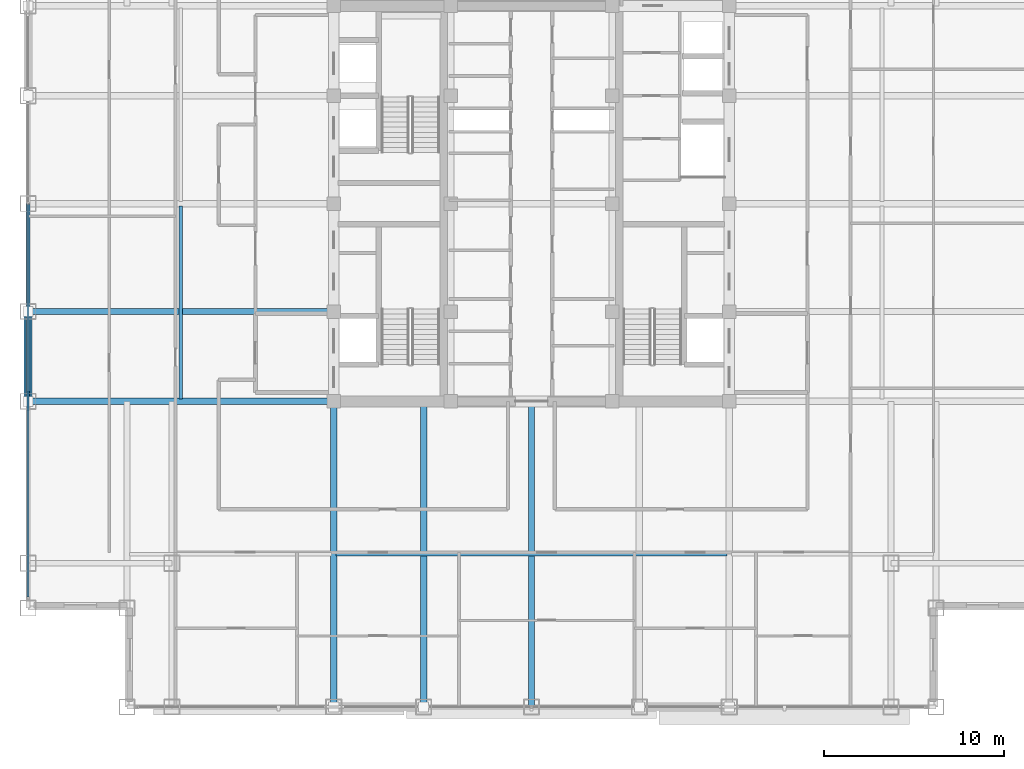
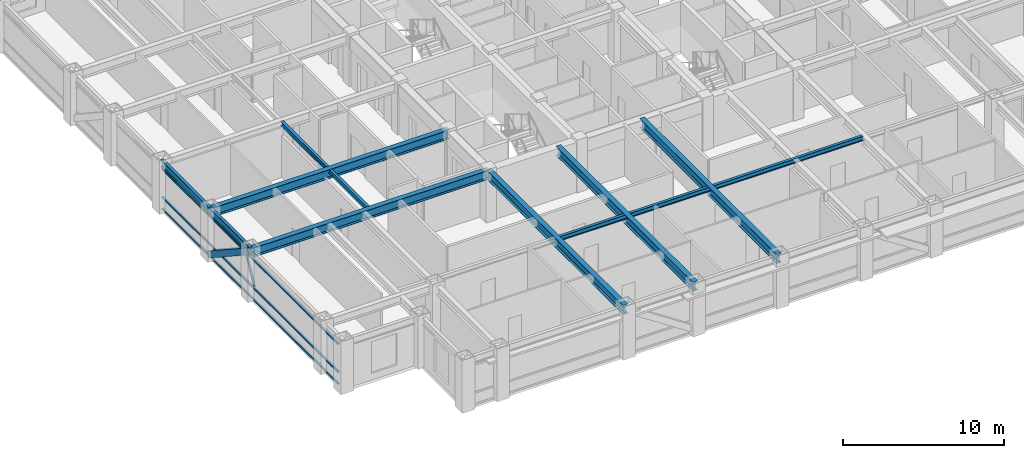
# One storey, part 5 of 27: 9 beams, 5 members, 1 element without a shape of its own.
"""IFC4 building model written with IfcOpenShell, lengths in metres."""

from ifc_helpers import new_model, si_unit, direction, frame, origin, origin_2d, place, context, subcontext, project, spatial, hollow_rectangle, i_section, extrude, source, transform, mapped, material, material_profile, profile_set, type_object, element, aggregate, save


model = new_model("IFC4")

# Units and contexts
model_context = context("Model", 3, precision=1e-05, world=origin(), true_north=direction((0.0, 1.0)))
body_context = subcontext(model_context, "Body", "Model", "MODEL_VIEW")
ifc_project = project(units=[si_unit("LENGTHUNIT", "METRE"), si_unit("AREAUNIT", "SQUARE_METRE"), si_unit("VOLUMEUNIT", "CUBIC_METRE"), si_unit("PLANEANGLEUNIT", "RADIAN"), si_unit("MASSUNIT", "GRAM", prefix="KILO")], contexts=[model_context])

# Site, building, storey
site_placement = place(None, origin())
site = spatial("IfcSite", under=ifc_project, at=site_placement, CompositionType="ELEMENT")
building_placement = place(site_placement, origin())
building = spatial("IfcBuilding", under=site, at=building_placement, Name="Khorayat Bourse Tower", CompositionType="ELEMENT")
storey_placement = place(building_placement, frame((0.0, 0.0, 281.5)))
storey = spatial("IfcBuildingStorey", under=building, at=storey_placement, Name="L66", CompositionType="ELEMENT", Elevation=281.5)

# Member
ifc_material_1 = material(Name="Steel EN 10025-4 S460M", Category="steel")
ifc_material_profile_1 = material_profile(ifc_material_1, hollow_rectangle(XDim=0.449951171875, YDim=0.449951171875, WallThickness=0.02490234375, at=origin_2d()), Name="HSS 450x450x25")
ifc_profile_set_1 = profile_set([ifc_material_profile_1], Name="Steel EN 10025-4 S460M")
member_type_1 = type_object("IfcMemberType", Name="MBR-TUBE-450", PredefinedType="BRACE", material=ifc_profile_set_1)
shared_shape_1 = source(origin(), body_context, "Body", "SweptSolid", [
    extrude(hollow_rectangle(XDim=0.449951171875, YDim=0.449951171875, WallThickness=0.02490234375, at=origin_2d()), origin(), (0.0, 0.0, 1.0), 5.979736328125),
])
member_1_placement = place(storey_placement, frame((-28.0, -11.0, 3.530029296875), z_axis=(0.0, 0.836141536525, -0.548513747227), x_axis=(-1.0, 0.0, 0.0)))
element("IfcMember", 1, at=member_1_placement, inside=storey, type_object=member_type_1, Name="L66 Perimeter Tube Brace 05", PredefinedType="BRACE", context=body_context, shape_type="MappedRepresentation", body=[
    mapped(shared_shape_1, transform((0.0, 0.0, 0.0), scale=1.0)),
])

# Beams
ifc_material_2 = material(Name="Steel ASTM A992 Grade 50", Category="steel")
ifc_material_profile_2 = material_profile(ifc_material_2, i_section(OverallWidth=0.35498046875, OverallDepth=0.695068359375, WebThickness=0.015380859375, FlangeThickness=0.02490234375, FilletRadius=0.01806640625, at=origin_2d()), Name="W690X217")
ifc_profile_set_2 = profile_set([ifc_material_profile_2], Name="Steel ASTM A992 Grade 50")
beam_type_1 = type_object("IfcBeamType", Name="BM-GIRD-690", PredefinedType="BEAM", material=ifc_profile_set_2)
shared_shape_2 = source(origin(), body_context, "Body", "SweptSolid", [
    extrude(i_section(OverallWidth=0.35498046875, OverallDepth=0.695068359375, WebThickness=0.015380859375, FlangeThickness=0.02490234375, FilletRadius=0.01806640625, at=origin_2d()), origin(), (0.0, 0.0, 1.0), 17.0),
])
for number, where, z_axis, x_axis, name in (
    (2, (-11.0, -28.0, 3.4326171875), (0.0, 1.0, 0.0), (-1.0, 0.0, 0.0), "L66 BM-GIRD-690 BM-L66-RADY-065"),
    (3, (-6.0, -28.0, 3.4326171875), (0.0, 1.0, 0.0), (-1.0, 0.0, 0.0), "L66 BM-GIRD-690 BM-L66-RADY-067"),
    (4, (0.0, -28.0, 3.4326171875), (0.0, 1.0, 0.0), (-1.0, 0.0, 0.0), "L66 BM-GIRD-690 BM-L66-RADY-069"),
    (5, (-28.0, -11.0, 3.4326171875), (1.0, 0.0, 0.0), (0.0, 1.0, 0.0), "L66 BM-GIRD-690 BM-L66-RADX-075"),
    (6, (-28.0, -6.0, 3.4326171875), (1.0, 0.0, 0.0), (0.0, 1.0, 0.0), "L66 BM-GIRD-690 BM-L66-RADX-077"),
):
    element("IfcBeam", number, at=place(storey_placement, frame(where, z_axis=z_axis, x_axis=x_axis)), inside=storey, type_object=beam_type_1, Name=name, PredefinedType="BEAM", context=body_context, shape_type="MappedRepresentation", body=[
        mapped(shared_shape_2, transform((0.0, 0.0, 0.0), scale=1.0)),
    ])
ifc_material_profile_3 = material_profile(ifc_material_2, i_section(OverallWidth=0.202880859375, OverallDepth=0.346923828125, WebThickness=0.0078125, FlangeThickness=0.013427734375, FilletRadius=0.010009765625, at=origin_2d()), Name="W360X64")
ifc_profile_set_3 = profile_set([ifc_material_profile_3], Name="Steel ASTM A992 Grade 50")
beam_type_2 = type_object("IfcBeamType", Name="BM-JOIST-360", PredefinedType="JOIST", material=ifc_profile_set_3)
shared_shape_3 = source(origin(), body_context, "Body", "SweptSolid", [
    extrude(i_section(OverallWidth=0.202880859375, OverallDepth=0.346923828125, WebThickness=0.0078125, FlangeThickness=0.013427734375, FilletRadius=0.010009765625, at=origin_2d()), origin(), (0.0, 0.0, 1.0), 21.740234375),
])
beam_1_placement = place(storey_placement, frame((-10.8701171875, -19.5, 3.6064453125), z_axis=(1.0, 0.0, 0.0), x_axis=(0.0, 1.0, 0.0)))
element("IfcBeam", 7, at=beam_1_placement, inside=storey, type_object=beam_type_2, Name="L66 BM-JOIST-360 BM-L66-JSTX-097", PredefinedType="JOIST", context=body_context, shape_type="MappedRepresentation", body=[
    mapped(shared_shape_3, transform((0.0, 0.0, 0.0), scale=1.0)),
])
shared_shape_4 = source(origin(), body_context, "Body", "SweptSolid", [
    extrude(i_section(OverallWidth=0.202880859375, OverallDepth=0.346923828125, WebThickness=0.0078125, FlangeThickness=0.013427734375, FilletRadius=0.010009765625, at=origin_2d()), origin(), (0.0, 0.0, 1.0), 10.740234375),
])
beam_2_placement = place(storey_placement, frame((-19.5, -10.8701171875, 3.6064453125), z_axis=(0.0, 1.0, 0.0), x_axis=(-1.0, 0.0, 0.0)))
element("IfcBeam", 8, at=beam_2_placement, inside=storey, type_object=beam_type_2, Name="L66 BM-JOIST-360 BM-L66-JSTY-102", PredefinedType="JOIST", context=body_context, shape_type="MappedRepresentation", body=[
    mapped(shared_shape_4, transform((0.0, 0.0, 0.0), scale=1.0)),
])
ifc_material_profile_4 = material_profile(ifc_material_2, i_section(OverallWidth=0.214111328125, OverallDepth=0.549072265625, WebThickness=0.0146484375, FlangeThickness=0.023681640625, FilletRadius=0.013916015625, at=origin_2d()), Name="W530X138")
ifc_profile_set_4 = profile_set([ifc_material_profile_4], Name="Steel ASTM A992 Grade 50")
beam_type_3 = type_object("IfcBeamType", Name="BM-SPAN-530", PredefinedType="SPANDREL", material=ifc_profile_set_4)
shared_shape_5 = source(origin(), body_context, "Body", "SweptSolid", [
    extrude(i_section(OverallWidth=0.214111328125, OverallDepth=0.549072265625, WebThickness=0.0146484375, FlangeThickness=0.023681640625, FilletRadius=0.013916015625, at=origin_2d()), origin(), (0.0, 0.0, 1.0), 5.0),
])
beam_3_placement = place(storey_placement, frame((-28.0, -11.0, 3.505615234375), z_axis=(0.0, 1.0, 0.0), x_axis=(-1.0, 0.0, 0.0)))
element("IfcBeam", 9, at=beam_3_placement, inside=storey, type_object=beam_type_3, Name="L66 BM-SPAN-530 BM-L66-SPN-059", PredefinedType="SPANDREL", context=body_context, shape_type="MappedRepresentation", body=[
    mapped(shared_shape_5, transform((0.0, 0.0, 0.0), scale=1.0)),
])
shared_shape_6 = source(origin(), body_context, "Body", "SweptSolid", [
    extrude(i_section(OverallWidth=0.214111328125, OverallDepth=0.549072265625, WebThickness=0.0146484375, FlangeThickness=0.023681640625, FilletRadius=0.013916015625, at=origin_2d()), origin(), (0.0, 0.0, 1.0), 6.0),
])
beam_4_placement = place(storey_placement, frame((-28.0, -6.0, 3.505615234375), z_axis=(0.0, 1.0, 0.0), x_axis=(-1.0, 0.0, 0.0)))
element("IfcBeam", 10, at=beam_4_placement, inside=storey, type_object=beam_type_3, Name="L66 BM-SPAN-530 BM-L66-SPN-058", PredefinedType="SPANDREL", context=body_context, shape_type="MappedRepresentation", body=[
    mapped(shared_shape_6, transform((0.0, 0.0, 0.0), scale=1.0)),
])

# Curtain wall, members
ifc_material_3 = material(Name="Aluminium EN AW-6063 T6", Category="aluminium")
curtain_wall_type = type_object("IfcCurtainWallType", Name="CW-SYS-04", PredefinedType="NOTDEFINED", material=ifc_material_3)
curtain_wall_placement = place(storey_placement, origin())
curtain_wall = element("IfcCurtainWall", 11, at=curtain_wall_placement, inside=storey, type_object=curtain_wall_type, Name="L66 Curtain Wall CW-L66-W1", PredefinedType="NOTDEFINED")
ifc_material_profile_5 = material_profile(ifc_material_3, hollow_rectangle(XDim=0.1201171875, YDim=0.1201171875, WallThickness=0.0048828125, at=origin_2d()), Name="ALU 120x120x5")
ifc_profile_set_5 = profile_set([ifc_material_profile_5], Name="Aluminium EN AW-6063 T6")
member_type_2 = type_object("IfcMemberType", Name="CWM-DIAG-120", PredefinedType="MULLION", material=ifc_profile_set_5)
shared_shape_7 = source(origin(), body_context, "Body", "SweptSolid", [
    extrude(hollow_rectangle(XDim=0.1201171875, YDim=0.1201171875, WallThickness=0.0048828125, at=origin_2d()), origin(), (0.0, 0.0, 1.0), 2.0791015625),
])
member_2_placement = place(storey_placement, frame((-28.0, -11.4541015625, 1.090087890625), z_axis=(0.0, 0.465717394116, 0.884933505309), x_axis=(-1.0, 0.0, 0.0)))
member_2 = element("IfcMember", 12, at=member_2_placement, type_object=member_type_2, Name="CW-L66-W1 Faceted Diagonal Mullion 1", PredefinedType="MULLION", context=body_context, shape_type="MappedRepresentation", body=[
    mapped(shared_shape_7, transform((0.0, 0.0, 0.0), scale=1.0)),
])
ifc_material_profile_6 = material_profile(ifc_material_3, hollow_rectangle(XDim=0.1201171875, YDim=0.1201171875, WallThickness=0.0048828125, at=origin_2d()), Name="ALU 120x120x5")
ifc_profile_set_6 = profile_set([ifc_material_profile_6], Name="Aluminium EN AW-6063 T6")
member_type_3 = type_object("IfcMemberType", Name="CWT-HORZ-120", PredefinedType="USERDEFINED", material=ifc_profile_set_6)
shared_shape_8 = source(origin(), body_context, "Body", "SweptSolid", [
    extrude(hollow_rectangle(XDim=0.1201171875, YDim=0.1201171875, WallThickness=0.0048828125, at=origin_2d()), origin(), (0.0, 0.0, 1.0), 21.81982421875),
])
member_3_placement = place(storey_placement, frame((-28.0, -21.8798828125, 0.06005859375), z_axis=(0.0, 1.0, 0.0), x_axis=(-1.0, 0.0, 0.0)))
member_3 = element("IfcMember", 13, at=member_3_placement, type_object=member_type_3, Name="CW-L66-W1 Horizontal Transom 1-1", ObjectType="TRANSOM", PredefinedType="USERDEFINED", context=body_context, shape_type="MappedRepresentation", body=[
    mapped(shared_shape_8, transform((0.0, 0.0, 0.0), scale=1.0)),
])
member_4_placement = place(storey_placement, frame((-28.0, -21.8798828125, 0.949951171875), z_axis=(0.0, 1.0, 0.0), x_axis=(-1.0, 0.0, 0.0)))
member_4 = element("IfcMember", 14, at=member_4_placement, type_object=member_type_3, Name="CW-L66-W1 Horizontal Transom 1-2", ObjectType="TRANSOM", PredefinedType="USERDEFINED", context=body_context, shape_type="MappedRepresentation", body=[
    mapped(shared_shape_8, transform((0.0, 0.0, 0.0), scale=1.0)),
])
member_5_placement = place(storey_placement, frame((-28.0, -21.8798828125, 3.070068359375), z_axis=(0.0, 1.0, 0.0), x_axis=(-1.0, 0.0, 0.0)))
member_5 = element("IfcMember", 15, at=member_5_placement, type_object=member_type_3, Name="CW-L66-W1 Horizontal Transom 1-3", ObjectType="TRANSOM", PredefinedType="USERDEFINED", context=body_context, shape_type="MappedRepresentation", body=[
    mapped(shared_shape_8, transform((0.0, 0.0, 0.0), scale=1.0)),
])
aggregate(curtain_wall, [member_3, member_4, member_5, member_2])

save(model, "model.ifc")
